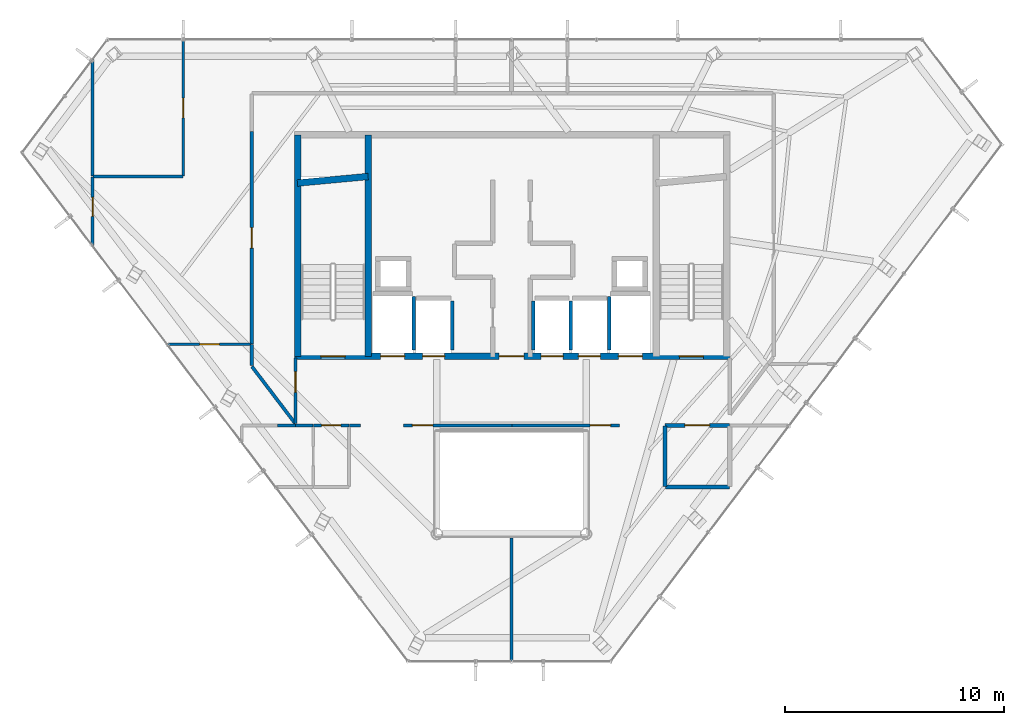
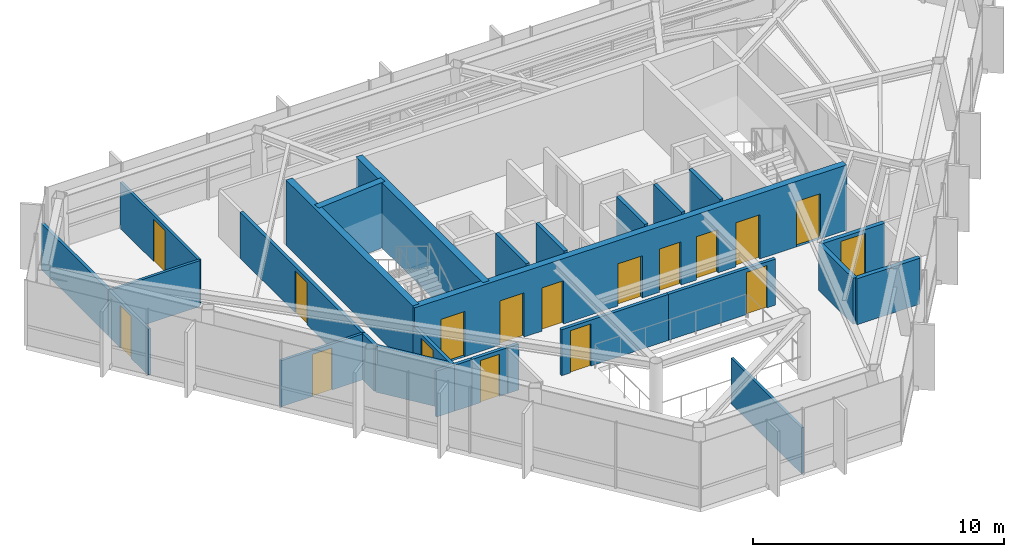
# One storey, part 22 of 25: 28 walls, 17 doors, 17 openings.
"""IFC4 building model written with IfcOpenShell, lengths in metres."""

from ifc_helpers import new_model, si_unit, direction, frame, frame_2d, origin, place, context, subcontext, project, spatial, rectangle, extrude, material, layer, layer_set, type_object, element, fill, save


model = new_model("IFC4")

# Units and contexts
model_context = context("Model", 3, precision=1e-05, world=origin(), true_north=direction((0.0, 1.0)))
body_context = subcontext(model_context, "Body", "Model", "MODEL_VIEW")
ifc_project = project(units=[si_unit("LENGTHUNIT", "METRE"), si_unit("AREAUNIT", "SQUARE_METRE"), si_unit("VOLUMEUNIT", "CUBIC_METRE"), si_unit("PLANEANGLEUNIT", "RADIAN"), si_unit("MASSUNIT", "GRAM", prefix="KILO")], contexts=[model_context])

# Site, building, storey
site_placement = place(None, origin())
site = spatial("IfcSite", under=ifc_project, at=site_placement, CompositionType="ELEMENT")
building_placement = place(site_placement, origin())
building = spatial("IfcBuilding", under=site, at=building_placement, Name="Zarrinselat Tower", CompositionType="ELEMENT")
storey_placement = place(building_placement, frame((0.0, 0.0, 275.39990234375)))
storey = spatial("IfcBuildingStorey", under=building, at=storey_placement, Name="L70", CompositionType="ELEMENT", Elevation=275.39990234375)

# Wall, opening, door
ifc_material_1 = material(Name="Concrete C40/50", Category="concrete")
ifc_layer_1 = layer(ifc_material_1, 0.18994140625)
ifc_layer_set_1 = layer_set([ifc_layer_1], Name="Concrete C40/50")
wall_type_1 = type_object("IfcWallType", Name="WAL-PART-EI120", PredefinedType="PARTITIONING", material=ifc_layer_set_1)
wall_1_placement = place(storey_placement, frame((45.405029296875, 30.14990234375, 0.0), z_axis=(0.0, 0.0, 1.0), x_axis=(1.0, 0.0, 0.0)))
wall_1 = element("IfcWall", 1, at=wall_1_placement, inside=storey, type_object=wall_type_1, Name="L70 Partition Wall 11", PredefinedType="PARTITIONING", context=body_context, shape_type="SweptSolid", body=[
    extrude(rectangle(XDim=2.925048828125, YDim=0.18994140625, at=frame_2d((1.46240234375, 0.0))), origin(), (0.0, 0.0, 1.0), 2.235107421875),
])
opening_1_placement = place(wall_1_placement, frame((0.902587890625, 0.0, 0.0)))
opening_1 = element("IfcOpeningElement", 2, at=opening_1_placement, cuts=wall_1, Name="Opening ID-02", PredefinedType="OPENING", context=body_context, shape_type="SweptSolid", body=[
    extrude(rectangle(XDim=1.1201171875, YDim=2.050048828125, at=frame_2d((0.56005859375, 1.02490234375))), frame((0.0, 0.10498046875, 0.0), z_axis=(0.0, -1.0, 0.0), x_axis=(1.0, 0.0, 0.0)), (0.0, 0.0, 1.0), 0.2099609375),
])
ifc_material_2 = material(Name="Steel S355J2", Category="steel")
door_type_1 = type_object("IfcDoorType", Name="DR-INT-FD60-W", OperationType="NOTDEFINED", PredefinedType="DOOR", material=ifc_material_2)
door_1_placement = place(opening_1_placement, origin())
door_1 = element("IfcDoor", 3, at=door_1_placement, inside=storey, type_object=door_type_1, Name="L70 Interior Door P11", OperationType="SINGLE_SWING_LEFT", OverallHeight=2.050048828125, OverallWidth=1.1201171875, PredefinedType="DOOR", context=body_context, shape_type="SweptSolid", body=[
    extrude(rectangle(XDim=1.1201171875, YDim=2.050048828125, at=frame_2d((0.56005859375, 1.02490234375))), frame((0.0, 0.02490234375, 0.0), z_axis=(0.0, -1.0, 0.0), x_axis=(1.0, 0.0, 0.0)), (0.0, 0.0, 1.0), 0.050048828125),
])
fill(opening_1, door_1)

# Walls
wall_2_placement = place(storey_placement, frame((45.419921875, 27.35009765625, 0.0), z_axis=(0.0, 0.0, 1.0), x_axis=(1.0, 0.0, 0.0)))
element("IfcWall", 4, at=wall_2_placement, inside=storey, type_object=wall_type_1, Name="L70 Partition Wall 19", PredefinedType="PARTITIONING", context=body_context, shape_type="SweptSolid", body=[
    extrude(rectangle(XDim=2.91015625, YDim=0.18994140625, at=frame_2d((1.455078125, 0.0))), origin(), (0.0, 0.0, 1.0), 2.235107421875),
])
wall_3_placement = place(storey_placement, frame((45.39990234375, 27.3701171875, 0.0), z_axis=(0.0, 0.0, 1.0), x_axis=(0.0, 1.0, 0.0)))
element("IfcWall", 5, at=wall_3_placement, inside=storey, type_object=wall_type_1, Name="L70 Partition Wall 20", PredefinedType="PARTITIONING", context=body_context, shape_type="SweptSolid", body=[
    extrude(rectangle(XDim=2.759765625, YDim=0.18994140625, at=frame_2d((1.3798828125, 0.0))), origin(), (0.0, 0.0, 1.0), 2.235107421875),
])

# Wall, opening, door
ifc_material_3 = material(Name="Fire-Rated Gypsum Board Partition", Category="gypsum")
ifc_layer_2 = layer(ifc_material_3, 0.14990234375)
ifc_layer_set_2 = layer_set([ifc_layer_2], Name="Fire-Rated Gypsum Board Partition")
wall_type_2 = type_object("IfcWallType", Name="WAL-PART-EI60", PredefinedType="PARTITIONING", material=ifc_layer_set_2)
wall_4_placement = place(storey_placement, frame((28.550048828125, 30.22705078125, 0.0), z_axis=(0.0, 0.0, 1.0), x_axis=(0.0, 1.0, 0.0)))
wall_4 = element("IfcWall", 6, at=wall_4_placement, inside=storey, type_object=wall_type_2, Name="L70 Partition Wall 12", PredefinedType="PARTITIONING", context=body_context, shape_type="SweptSolid", body=[
    extrude(rectangle(XDim=3.0029296875, YDim=0.14990234375, at=frame_2d((1.50146484375, 0.0))), origin(), (0.0, 0.0, 1.0), 2.235107421875),
])
opening_2_placement = place(wall_4_placement, frame((1.431396484375, 0.0, 0.0)))
opening_2 = element("IfcOpeningElement", 7, at=opening_2_placement, cuts=wall_4, Name="Opening ID-04", PredefinedType="OPENING", context=body_context, shape_type="SweptSolid", body=[
    extrude(rectangle(XDim=0.93994140625, YDim=2.050048828125, at=frame_2d((0.469970703125, 1.02490234375))), frame((0.0, 0.0849609375, 0.0), z_axis=(0.0, -1.0, 0.0), x_axis=(1.0, 0.0, 0.0)), (0.0, 0.0, 1.0), 0.169921875),
])
ifc_material_4 = material(Name="Fire-Rated Gypsum Board Partition")
door_type_2 = type_object("IfcDoorType", Name="DR-INT-FD30-ENT", OperationType="NOTDEFINED", PredefinedType="DOOR", material=ifc_material_4)
door_2_placement = place(opening_2_placement, origin())
door_2 = element("IfcDoor", 8, at=door_2_placement, inside=storey, type_object=door_type_2, Name="L70 Interior Door P12", OperationType="SINGLE_SWING_RIGHT", OverallHeight=2.050048828125, OverallWidth=0.93994140625, PredefinedType="DOOR", context=body_context, shape_type="SweptSolid", body=[
    extrude(rectangle(XDim=0.93994140625, YDim=2.050048828125, at=frame_2d((0.469970703125, 1.02490234375))), frame((0.0, 0.02490234375, 0.0), z_axis=(0.0, -1.0, 0.0), x_axis=(1.0, 0.0, 0.0)), (0.0, 0.0, 1.0), 0.050048828125),
])
fill(opening_2, door_2)

wall_5_placement = place(storey_placement, frame((29.364990234375, 30.14990234375, 0.0), z_axis=(0.0, 0.0, 1.0), x_axis=(1.0, 0.0, 0.0)))
wall_5 = element("IfcWall", 9, at=wall_5_placement, inside=storey, type_object=wall_type_2, Name="L70 Partition Wall 14", PredefinedType="PARTITIONING", context=body_context, shape_type="SweptSolid", body=[
    extrude(rectangle(XDim=1.630126953125, YDim=0.14990234375, at=frame_2d((0.81494140625, 0.0))), origin(), (0.0, 0.0, 1.0), 2.235107421875),
])
opening_3_placement = place(wall_5_placement, frame((0.375, 0.0, 0.0)))
opening_3 = element("IfcOpeningElement", 10, at=opening_3_placement, cuts=wall_5, Name="Opening ID-03", PredefinedType="OPENING", context=body_context, shape_type="SweptSolid", body=[
    extrude(rectangle(XDim=0.8798828125, YDim=2.050048828125, at=frame_2d((0.43994140625, 1.02490234375))), frame((0.0, 0.0849609375, 0.0), z_axis=(0.0, -1.0, 0.0), x_axis=(1.0, 0.0, 0.0)), (0.0, 0.0, 1.0), 0.169921875),
])
ifc_material_5 = material(Name="Steel S355J2", Category="steel")
door_type_3 = type_object("IfcDoorType", Name="DR-INT-FD60-S", OperationType="NOTDEFINED", PredefinedType="DOOR", material=ifc_material_5)
door_3_placement = place(opening_3_placement, origin())
door_3 = element("IfcDoor", 11, at=door_3_placement, inside=storey, type_object=door_type_3, Name="L70 Interior Door P14", OperationType="SINGLE_SWING_LEFT", OverallHeight=2.050048828125, OverallWidth=0.8798828125, PredefinedType="DOOR", context=body_context, shape_type="SweptSolid", body=[
    extrude(rectangle(XDim=0.8798828125, YDim=2.050048828125, at=frame_2d((0.43994140625, 1.02490234375))), frame((0.0, 0.02490234375, 0.0), z_axis=(0.0, -1.0, 0.0), x_axis=(1.0, 0.0, 0.0)), (0.0, 0.0, 1.0), 0.050048828125),
])
fill(opening_3, door_3)

# Wall
wall_6_placement = place(storey_placement, frame((28.550048828125, 30.14990234375, 0.0), z_axis=(0.0, 0.0, 1.0), x_axis=(1.0, 0.0, 0.0)))
element("IfcWall", 12, at=wall_6_placement, inside=storey, type_object=wall_type_2, Name="L70 Partition Wall 15", PredefinedType="PARTITIONING", context=body_context, shape_type="SweptSolid", body=[
    extrude(rectangle(XDim=0.804931640625, YDim=0.14990234375, at=frame_2d((0.40234375, 0.0))), origin(), (0.0, 0.0, 1.0), 2.235107421875),
])

# Wall, opening, door
wall_7_placement = place(storey_placement, frame((33.485107421875, 30.14990234375, 0.0), z_axis=(0.0, 0.0, 1.0), x_axis=(1.0, 0.0, 0.0)))
wall_7 = element("IfcWall", 13, at=wall_7_placement, inside=storey, type_object=wall_type_2, Name="L70 Partition Wall 16", PredefinedType="PARTITIONING", context=body_context, shape_type="SweptSolid", body=[
    extrude(rectangle(XDim=4.929931640625, YDim=0.14990234375, at=frame_2d((2.46484375, 0.0))), origin(), (0.0, 0.0, 1.0), 2.235107421875),
])
opening_4_placement = place(wall_7_placement, frame((0.39501953125, 0.0, 0.0)))
opening_4 = element("IfcOpeningElement", 14, at=opening_4_placement, cuts=wall_7, Name="Opening ID-04", PredefinedType="OPENING", context=body_context, shape_type="SweptSolid", body=[
    extrude(rectangle(XDim=0.93994140625, YDim=2.050048828125, at=frame_2d((0.469970703125, 1.02490234375))), frame((0.0, 0.0849609375, 0.0), z_axis=(0.0, -1.0, 0.0), x_axis=(1.0, 0.0, 0.0)), (0.0, 0.0, 1.0), 0.169921875),
])
door_4_placement = place(opening_4_placement, origin())
door_4 = element("IfcDoor", 15, at=door_4_placement, inside=storey, type_object=door_type_2, Name="L70 Interior Door P16", OperationType="SINGLE_SWING_RIGHT", OverallHeight=2.050048828125, OverallWidth=0.93994140625, PredefinedType="DOOR", context=body_context, shape_type="SweptSolid", body=[
    extrude(rectangle(XDim=0.93994140625, YDim=2.050048828125, at=frame_2d((0.469970703125, 1.02490234375))), frame((0.0, 0.02490234375, 0.0), z_axis=(0.0, -1.0, 0.0), x_axis=(1.0, 0.0, 0.0)), (0.0, 0.0, 1.0), 0.050048828125),
])
fill(opening_4, door_4)

# Wall
wall_8_placement = place(storey_placement, frame((31.0048828125, 30.14990234375, 0.0), z_axis=(0.0, 0.0, 1.0), x_axis=(1.0, 0.0, 0.0)))
element("IfcWall", 16, at=wall_8_placement, inside=storey, type_object=wall_type_2, Name="L70 Partition Wall 17", PredefinedType="PARTITIONING", context=body_context, shape_type="SweptSolid", body=[
    extrude(rectangle(XDim=0.510009765625, YDim=0.14990234375, at=frame_2d((0.2548828125, 0.0))), origin(), (0.0, 0.0, 1.0), 2.235107421875),
])

# Wall, opening, door
wall_9_placement = place(storey_placement, frame((38.385009765625, 30.14990234375, 0.0), z_axis=(0.0, 0.0, 1.0), x_axis=(1.0, 0.0, 0.0)))
wall_9 = element("IfcWall", 17, at=wall_9_placement, inside=storey, type_object=wall_type_2, Name="L70 Partition Wall 18", PredefinedType="PARTITIONING", context=body_context, shape_type="SweptSolid", body=[
    extrude(rectangle(XDim=4.929931640625, YDim=0.14990234375, at=frame_2d((2.46484375, 0.0))), origin(), (0.0, 0.0, 1.0), 2.235107421875),
])
opening_5_placement = place(wall_9_placement, frame((3.594970703125, 0.0, 0.0)))
opening_5 = element("IfcOpeningElement", 18, at=opening_5_placement, cuts=wall_9, Name="Opening ID-04", PredefinedType="OPENING", context=body_context, shape_type="SweptSolid", body=[
    extrude(rectangle(XDim=0.93994140625, YDim=2.050048828125, at=frame_2d((0.469970703125, 1.02490234375))), frame((0.0, 0.0849609375, 0.0), z_axis=(0.0, -1.0, 0.0), x_axis=(1.0, 0.0, 0.0)), (0.0, 0.0, 1.0), 0.169921875),
])
door_5_placement = place(opening_5_placement, origin())
door_5 = element("IfcDoor", 19, at=door_5_placement, inside=storey, type_object=door_type_2, Name="L70 Interior Door P18", OperationType="SINGLE_SWING_LEFT", OverallHeight=2.050048828125, OverallWidth=0.93994140625, PredefinedType="DOOR", context=body_context, shape_type="SweptSolid", body=[
    extrude(rectangle(XDim=0.93994140625, YDim=2.050048828125, at=frame_2d((0.469970703125, 1.02490234375))), frame((0.0, 0.02490234375, 0.0), z_axis=(0.0, -1.0, 0.0), x_axis=(1.0, 0.0, 0.0)), (0.0, 0.0, 1.0), 0.050048828125),
])
fill(opening_5, door_5)

wall_10_placement = place(storey_placement, frame((26.550048828125, 33.855224609375, 0.0), z_axis=(0.0, 0.0, 1.0), x_axis=(0.0, 1.0, 0.0)))
wall_10 = element("IfcWall", 20, at=wall_10_placement, inside=storey, type_object=wall_type_2, Name="L70 Partition Wall 22", PredefinedType="PARTITIONING", context=body_context, shape_type="SweptSolid", body=[
    extrude(rectangle(XDim=9.69482421875, YDim=0.14990234375, at=frame_2d((4.847412109375, 0.0))), origin(), (0.0, 0.0, 1.0), 2.235107421875),
])
opening_6_placement = place(wall_10_placement, frame((4.37744140625, 0.0, 0.0)))
opening_6 = element("IfcOpeningElement", 21, at=opening_6_placement, cuts=wall_10, Name="Opening ID-04", PredefinedType="OPENING", context=body_context, shape_type="SweptSolid", body=[
    extrude(rectangle(XDim=0.93994140625, YDim=2.050048828125, at=frame_2d((0.469970703125, 1.02490234375))), frame((0.0, 0.0849609375, 0.0), z_axis=(0.0, -1.0, 0.0), x_axis=(1.0, 0.0, 0.0)), (0.0, 0.0, 1.0), 0.169921875),
])
door_6_placement = place(opening_6_placement, origin())
door_6 = element("IfcDoor", 22, at=door_6_placement, inside=storey, type_object=door_type_2, Name="L70 Interior Door P22", OperationType="SINGLE_SWING_RIGHT", OverallHeight=2.050048828125, OverallWidth=0.93994140625, PredefinedType="DOOR", context=body_context, shape_type="SweptSolid", body=[
    extrude(rectangle(XDim=0.93994140625, YDim=2.050048828125, at=frame_2d((0.469970703125, 1.02490234375))), frame((0.0, 0.02490234375, 0.0), z_axis=(0.0, -1.0, 0.0), x_axis=(1.0, 0.0, 0.0)), (0.0, 0.0, 1.0), 0.050048828125),
])
fill(opening_6, door_6)

# Walls
wall_11_placement = place(storey_placement, frame((26.56201171875, 32.839599609375, 0.0), z_axis=(0.0, 0.0, 1.0), x_axis=(0.604783852999, -0.796389660375, 0.0)))
element("IfcWall", 23, at=wall_11_placement, inside=storey, type_object=wall_type_2, Name="L70 Partition Wall 26", PredefinedType="PARTITIONING", context=body_context, shape_type="SweptSolid", body=[
    extrude(rectangle(XDim=3.26708984375, YDim=0.14990234375, at=frame_2d((1.633544921875, 0.0))), origin(), (0.0, 0.0, 1.0), 2.235107421875),
])
wall_12_placement = place(storey_placement, frame((26.550048828125, 32.87548828125, 0.0), z_axis=(0.0, 0.0, 1.0), x_axis=(0.0, 1.0, 0.0)))
element("IfcWall", 24, at=wall_12_placement, inside=storey, type_object=wall_type_2, Name="L70 Partition Wall 27", PredefinedType="PARTITIONING", context=body_context, shape_type="SweptSolid", body=[
    extrude(rectangle(XDim=0.9697265625, YDim=0.14990234375, at=frame_2d((0.48486328125, 0.0))), origin(), (0.0, 0.0, 1.0), 2.235107421875),
])
ifc_material_6 = material(Name="Extruded Aluminium Alloy EN AW-6063 T6", Category="aluminium")
ifc_layer_3 = layer(ifc_material_6, 0.114990234375)
ifc_layer_set_3 = layer_set([ifc_layer_3], Name="Extruded Aluminium Alloy EN AW-6063 T6")
wall_type_3 = type_object("IfcWallType", Name="WAL-PART-MOV", PredefinedType="MOVABLE", material=ifc_layer_set_3)
wall_13_placement = place(storey_placement, frame((38.39990234375, 19.403076171875, 0.0), z_axis=(0.0, 0.0, 1.0), x_axis=(0.0, 1.0, 0.0)))
element("IfcWall", 25, at=wall_13_placement, inside=storey, type_object=wall_type_3, Name="L70 Partition Wall 41", PredefinedType="MOVABLE", context=body_context, shape_type="SweptSolid", body=[
    extrude(rectangle(XDim=5.616943359375, YDim=0.114990234375, at=frame_2d((2.80859375, 0.0))), origin(), (0.0, 0.0, 1.0), 2.235107421875),
])
ifc_material_7 = material(Name="Fire-Rated Gypsum Board Partition", Category="gypsum")
ifc_layer_4 = layer(ifc_material_7, 0.1201171875)
ifc_layer_set_4 = layer_set([ifc_layer_4], Name="Fire-Rated Gypsum Board Partition")
wall_type_4 = type_object("IfcWallType", Name="WAL-PART-STD", PredefinedType="PARTITIONING", material=ifc_layer_set_4)
wall_14_placement = place(storey_placement, frame((19.322265625, 41.49853515625, 0.0), z_axis=(0.0, 0.0, 1.0), x_axis=(1.0, 0.0, 0.0)))
element("IfcWall", 26, at=wall_14_placement, inside=storey, type_object=wall_type_4, Name="L70 Partition Wall 45", PredefinedType="PARTITIONING", context=body_context, shape_type="SweptSolid", body=[
    extrude(rectangle(XDim=4.096923828125, YDim=0.1201171875, at=frame_2d((2.04833984375, 0.0))), origin(), (0.0, 0.0, 1.0), 2.235107421875),
])

# Wall, opening, door
wall_15_placement = place(storey_placement, frame((23.439208984375, 41.5185546875, 0.0), z_axis=(0.0, 0.0, 1.0), x_axis=(0.0, 1.0, 0.0)))
wall_15 = element("IfcWall", 27, at=wall_15_placement, inside=storey, type_object=wall_type_4, Name="L70 Partition Wall 46", PredefinedType="PARTITIONING", context=body_context, shape_type="SweptSolid", body=[
    extrude(rectangle(XDim=6.216552734375, YDim=0.1201171875, at=frame_2d((3.1083984375, 0.0))), origin(), (0.0, 0.0, 1.0), 2.235107421875),
])
opening_7_placement = place(wall_15_placement, frame((2.658203125, 0.0, 0.0)))
opening_7 = element("IfcOpeningElement", 28, at=opening_7_placement, cuts=wall_15, Name="Opening ID-05", PredefinedType="OPENING", context=body_context, shape_type="SweptSolid", body=[
    extrude(rectangle(XDim=0.89990234375, YDim=2.050048828125, at=frame_2d((0.449951171875, 1.02490234375))), frame((0.0, 0.070068359375, 0.0), z_axis=(0.0, -1.0, 0.0), x_axis=(1.0, 0.0, 0.0)), (0.0, 0.0, 1.0), 0.14013671875),
])
ifc_material_8 = material(Name="Extruded Aluminium Alloy EN AW-6063 T6", Category="aluminium")
door_type_4 = type_object("IfcDoorType", Name="DR-INT-STD-920", OperationType="NOTDEFINED", PredefinedType="DOOR", material=ifc_material_8)
door_7_placement = place(opening_7_placement, origin())
door_7 = element("IfcDoor", 29, at=door_7_placement, inside=storey, type_object=door_type_4, Name="L70 Interior Door P46", OperationType="SINGLE_SWING_LEFT", OverallHeight=2.050048828125, OverallWidth=0.89990234375, PredefinedType="DOOR", context=body_context, shape_type="SweptSolid", body=[
    extrude(rectangle(XDim=0.89990234375, YDim=2.050048828125, at=frame_2d((0.449951171875, 1.02490234375))), frame((0.0, 0.02490234375, 0.0), z_axis=(0.0, -1.0, 0.0), x_axis=(1.0, 0.0, 0.0)), (0.0, 0.0, 1.0), 0.050048828125),
])
fill(opening_7, door_7)

wall_16_placement = place(storey_placement, frame((22.720703125, 33.85009765625, 0.0), z_axis=(0.0, 0.0, 1.0), x_axis=(1.0, 0.0, 0.0)))
wall_16 = element("IfcWall", 30, at=wall_16_placement, inside=storey, type_object=wall_type_4, Name="L70 Partition Wall 47", PredefinedType="PARTITIONING", context=body_context, shape_type="SweptSolid", body=[
    extrude(rectangle(XDim=3.809326171875, YDim=0.1201171875, at=frame_2d((1.90478515625, 0.0))), origin(), (0.0, 0.0, 1.0), 2.235107421875),
])
opening_8_placement = place(wall_16_placement, frame((1.45458984375, 0.0, 0.0)))
opening_8 = element("IfcOpeningElement", 31, at=opening_8_placement, cuts=wall_16, Name="Opening ID-05", PredefinedType="OPENING", context=body_context, shape_type="SweptSolid", body=[
    extrude(rectangle(XDim=0.89990234375, YDim=2.050048828125, at=frame_2d((0.449951171875, 1.02490234375))), frame((0.0, 0.070068359375, 0.0), z_axis=(0.0, -1.0, 0.0), x_axis=(1.0, 0.0, 0.0)), (0.0, 0.0, 1.0), 0.14013671875),
])
door_8_placement = place(opening_8_placement, origin())
door_8 = element("IfcDoor", 32, at=door_8_placement, inside=storey, type_object=door_type_4, Name="L70 Interior Door P47", OperationType="SINGLE_SWING_RIGHT", OverallHeight=2.050048828125, OverallWidth=0.89990234375, PredefinedType="DOOR", context=body_context, shape_type="SweptSolid", body=[
    extrude(rectangle(XDim=0.89990234375, YDim=2.050048828125, at=frame_2d((0.449951171875, 1.02490234375))), frame((0.0, 0.02490234375, 0.0), z_axis=(0.0, -1.0, 0.0), x_axis=(1.0, 0.0, 0.0)), (0.0, 0.0, 1.0), 0.050048828125),
])
fill(opening_8, door_8)

# Wall
ifc_material_9 = material(Name="Fire-Rated Gypsum Board Partition", Category="gypsum")
ifc_layer_5 = layer(ifc_material_9, 0.135009765625)
ifc_layer_set_5 = layer_set([ifc_layer_5], Name="Fire-Rated Gypsum Board Partition")
wall_type_5 = type_object("IfcWallType", Name="WAL-PART-WET", PredefinedType="PARTITIONING", material=ifc_layer_set_5)
wall_17_placement = place(storey_placement, frame((27.72998046875, 30.14990234375, 0.0), z_axis=(0.0, 0.0, 1.0), x_axis=(1.0, 0.0, 0.0)))
element("IfcWall", 33, at=wall_17_placement, inside=storey, type_object=wall_type_5, Name="L70 Partition Wall 40", PredefinedType="PARTITIONING", context=body_context, shape_type="SweptSolid", body=[
    extrude(rectangle(XDim=0.820068359375, YDim=0.135009765625, at=frame_2d((0.41015625, 0.0))), origin(), (0.0, 0.0, 1.0), 2.235107421875),
])

# Wall, opening, door
wall_18_placement = place(storey_placement, frame((19.30224609375, 38.3466796875, 0.0), z_axis=(0.0, 0.0, 1.0), x_axis=(0.0, 1.0, 0.0)))
wall_18 = element("IfcWall", 34, at=wall_18_placement, inside=storey, type_object=wall_type_5, Name="L70 Partition Wall 43", PredefinedType="PARTITIONING", context=body_context, shape_type="SweptSolid", body=[
    extrude(rectangle(XDim=3.1318359375, YDim=0.135009765625, at=frame_2d((1.56591796875, 0.0))), origin(), (0.0, 0.0, 1.0), 2.235107421875),
])
opening_9_placement = place(wall_18_placement, frame((1.335693359375, 0.0, 0.0)))
opening_9 = element("IfcOpeningElement", 35, at=opening_9_placement, cuts=wall_18, Name="Opening ID-06", PredefinedType="OPENING", context=body_context, shape_type="SweptSolid", body=[
    extrude(rectangle(XDim=0.860107421875, YDim=2.050048828125, at=frame_2d((0.43017578125, 1.02490234375))), frame((0.0, 0.077392578125, 0.0), z_axis=(0.0, -1.0, 0.0), x_axis=(1.0, 0.0, 0.0)), (0.0, 0.0, 1.0), 0.155029296875),
])
ifc_material_10 = material(Name="Extruded Aluminium Alloy EN AW-6063 T6", Category="aluminium")
door_type_5 = type_object("IfcDoorType", Name="DR-INT-WET-900", OperationType="NOTDEFINED", PredefinedType="DOOR", material=ifc_material_10)
door_9_placement = place(opening_9_placement, origin())
door_9 = element("IfcDoor", 36, at=door_9_placement, inside=storey, type_object=door_type_5, Name="L70 Interior Door P43", OperationType="SINGLE_SWING_LEFT", OverallHeight=2.050048828125, OverallWidth=0.860107421875, PredefinedType="DOOR", context=body_context, shape_type="SweptSolid", body=[
    extrude(rectangle(XDim=0.860107421875, YDim=2.050048828125, at=frame_2d((0.43017578125, 1.02490234375))), frame((0.0, 0.02490234375, 0.0), z_axis=(0.0, -1.0, 0.0), x_axis=(1.0, 0.0, 0.0)), (0.0, 0.0, 1.0), 0.050048828125),
])
fill(opening_9, door_9)

# Walls
wall_19_placement = place(storey_placement, frame((19.30224609375, 41.5185546875, 0.0), z_axis=(0.0, 0.0, 1.0), x_axis=(0.0, 1.0, 0.0)))
element("IfcWall", 37, at=wall_19_placement, inside=storey, type_object=wall_type_5, Name="L70 Partition Wall 48", PredefinedType="PARTITIONING", context=body_context, shape_type="SweptSolid", body=[
    extrude(rectangle(XDim=5.315185546875, YDim=0.135009765625, at=frame_2d((2.65771484375, 0.0))), origin(), (0.0, 0.0, 1.0), 2.235107421875),
])
ifc_material_11 = material(Name="Concrete C40/50", Category="concrete")
ifc_layer_6 = layer(ifc_material_11, 0.2099609375)
ifc_layer_set_6 = layer_set([ifc_layer_6], Name="Concrete C40/50")
wall_type_6 = type_object("IfcWallType", Name="WAL-SHAFT-210", PredefinedType="SOLIDWALL", material=ifc_layer_set_6)
for number, where, z_axis, x_axis, name in (
    (38, (33.949951171875, 33.580078125, 0.0), (0.0, 0.0, 1.0), (0.0, 1.0, 0.0), "L70 Lift FFL1 E Shaft Wall"),
    (39, (42.85009765625, 33.580078125, 0.0), (0.0, 0.0, 1.0), (0.0, 1.0, 0.0), "L70 Lift FFL2 W Shaft Wall"),
):
    element("IfcWall", number, at=place(storey_placement, frame(where, z_axis=z_axis, x_axis=x_axis)), inside=storey, type_object=wall_type_6, Name=name, PredefinedType="SOLIDWALL", context=body_context, shape_type="SweptSolid", body=[
        extrude(rectangle(XDim=2.449951171875, YDim=0.159912109375, at=frame_2d((1.22509765625, 0.0))), origin(), (0.0, 0.0, 1.0), 3.18017578125),
    ])
for number, where, z_axis, x_axis, name in (
    (40, (39.39990234375, 33.580078125, 0.0), (0.0, 0.0, 1.0), (0.0, 1.0, 0.0), "L70 Lift PL8 W Shaft Wall"),
    (41, (41.10009765625, 33.580078125, 0.0), (0.0, 0.0, 1.0), (0.0, 1.0, 0.0), "L70 Lift PL8 E Shaft Wall"),
    (42, (35.699951171875, 33.580078125, 0.0), (0.0, 0.0, 1.0), (0.0, 1.0, 0.0), "L70 Lift PL10 E Shaft Wall"),
):
    element("IfcWall", number, at=place(storey_placement, frame(where, z_axis=z_axis, x_axis=x_axis)), inside=storey, type_object=wall_type_6, Name=name, PredefinedType="SOLIDWALL", context=body_context, shape_type="SweptSolid", body=[
        extrude(rectangle(XDim=2.25, YDim=0.159912109375, at=frame_2d((1.125, 0.0))), origin(), (0.0, 0.0, 1.0), 3.18017578125),
    ])

# Wall, openings, doors
ifc_material_12 = material(Name="Concrete C40/50", Category="concrete")
ifc_layer_7 = layer(ifc_material_12, 0.300048828125)
ifc_layer_set_7 = layer_set([ifc_layer_7], Name="Concrete C40/50")
wall_type_7 = type_object("IfcWallType", Name="WAL-SHEAR-300", PredefinedType="SHEAR", material=ifc_layer_set_7)
wall_20_placement = place(storey_placement, frame((28.5, 33.300048828125, 0.0), z_axis=(0.0, 0.0, 1.0), x_axis=(1.0, 0.0, 0.0)))
wall_20 = element("IfcWall", 43, at=wall_20_placement, inside=storey, type_object=wall_type_7, Name="L70 South Core Shear Wall", PredefinedType="SHEAR", context=body_context, shape_type="SweptSolid", body=[
    extrude(rectangle(XDim=19.860107421875, YDim=0.300048828125, at=frame_2d((9.93017578125, 0.0))), origin(), (0.0, 0.0, 1.0), 3.18017578125),
])
opening_10_placement = place(wall_20_placement, frame((3.929931640625, 0.0, 0.0)))
opening_10 = element("IfcOpeningElement", 44, at=opening_10_placement, cuts=wall_20, Name="Opening LD-FFL1", PredefinedType="OPENING", context=body_context, shape_type="SweptSolid", body=[
    extrude(rectangle(XDim=1.10009765625, YDim=2.14990234375, at=frame_2d((0.550048828125, 1.074951171875))), frame((0.0, 0.159912109375, 0.0), z_axis=(0.0, -1.0, 0.0), x_axis=(1.0, 0.0, 0.0)), (0.0, 0.0, 1.0), 0.320068359375),
])
opening_11_placement = place(wall_20_placement, frame((14.77001953125, 0.0, 0.0)))
opening_11 = element("IfcOpeningElement", 45, at=opening_11_placement, cuts=wall_20, Name="Opening LD-FFL2", PredefinedType="OPENING", context=body_context, shape_type="SweptSolid", body=[
    extrude(rectangle(XDim=1.10009765625, YDim=2.14990234375, at=frame_2d((0.550048828125, 1.074951171875))), frame((0.0, 0.159912109375, 0.0), z_axis=(0.0, -1.0, 0.0), x_axis=(1.0, 0.0, 0.0)), (0.0, 0.0, 1.0), 0.320068359375),
])
opening_12_placement = place(wall_20_placement, frame((11.25, 0.0, 0.0)))
opening_12 = element("IfcOpeningElement", 46, at=opening_12_placement, cuts=wall_20, Name="Opening LD-PL8", PredefinedType="OPENING", context=body_context, shape_type="SweptSolid", body=[
    extrude(rectangle(XDim=1.0, YDim=2.10009765625, at=frame_2d((0.5, 1.050048828125))), frame((0.0, 0.159912109375, 0.0), z_axis=(0.0, -1.0, 0.0), x_axis=(1.0, 0.0, 0.0)), (0.0, 0.0, 1.0), 0.320068359375),
])
opening_13_placement = place(wall_20_placement, frame((12.949951171875, 0.0, 0.0)))
opening_13 = element("IfcOpeningElement", 47, at=opening_13_placement, cuts=wall_20, Name="Opening LD-PL9", PredefinedType="OPENING", context=body_context, shape_type="SweptSolid", body=[
    extrude(rectangle(XDim=1.0, YDim=2.10009765625, at=frame_2d((0.5, 1.050048828125))), frame((0.0, 0.159912109375, 0.0), z_axis=(0.0, -1.0, 0.0), x_axis=(1.0, 0.0, 0.0)), (0.0, 0.0, 1.0), 0.320068359375),
])
opening_14_placement = place(wall_20_placement, frame((5.85009765625, 0.0, 0.0)))
opening_14 = element("IfcOpeningElement", 48, at=opening_14_placement, cuts=wall_20, Name="Opening LD-PL10", PredefinedType="OPENING", context=body_context, shape_type="SweptSolid", body=[
    extrude(rectangle(XDim=1.0, YDim=2.10009765625, at=frame_2d((0.5, 1.050048828125))), frame((0.0, 0.159912109375, 0.0), z_axis=(0.0, -1.0, 0.0), x_axis=(1.0, 0.0, 0.0)), (0.0, 0.0, 1.0), 0.320068359375),
])
opening_15_placement = place(wall_20_placement, frame((1.2099609375, 0.0, 0.0)))
opening_15 = element("IfcOpeningElement", 49, at=opening_15_placement, cuts=wall_20, Name="Opening SD-01", PredefinedType="OPENING", context=body_context, shape_type="SweptSolid", body=[
    extrude(rectangle(XDim=1.10009765625, YDim=2.199951171875, at=frame_2d((0.550048828125, 1.10009765625))), frame((0.0, 0.159912109375, 0.0), z_axis=(0.0, -1.0, 0.0), x_axis=(1.0, 0.0, 0.0)), (0.0, 0.0, 1.0), 0.320068359375),
])
opening_16_placement = place(wall_20_placement, frame((9.340087890625, 0.0, 0.0)))
opening_16 = element("IfcOpeningElement", 50, at=opening_16_placement, cuts=wall_20, Name="Opening ID-02", PredefinedType="OPENING", context=body_context, shape_type="SweptSolid", body=[
    extrude(rectangle(XDim=1.1201171875, YDim=2.050048828125, at=frame_2d((0.56005859375, 1.02490234375))), frame((0.0, 0.159912109375, 0.0), z_axis=(0.0, -1.0, 0.0), x_axis=(1.0, 0.0, 0.0)), (0.0, 0.0, 1.0), 0.320068359375),
])
opening_17_placement = place(wall_20_placement, frame((17.550048828125, 0.0, 0.0)))
opening_17 = element("IfcOpeningElement", 51, at=opening_17_placement, cuts=wall_20, Name="Opening SD-01", PredefinedType="OPENING", context=body_context, shape_type="SweptSolid", body=[
    extrude(rectangle(XDim=1.10009765625, YDim=2.199951171875, at=frame_2d((0.550048828125, 1.10009765625))), frame((0.0, 0.159912109375, 0.0), z_axis=(0.0, -1.0, 0.0), x_axis=(1.0, 0.0, 0.0)), (0.0, 0.0, 1.0), 0.320068359375),
])
door_10_placement = place(opening_16_placement, origin())
door_10 = element("IfcDoor", 52, at=door_10_placement, inside=storey, type_object=door_type_1, Name="L70 Core Service Vestibule Fire Door", OperationType="SINGLE_SWING_RIGHT", OverallHeight=2.050048828125, OverallWidth=1.1201171875, PredefinedType="DOOR", context=body_context, shape_type="SweptSolid", body=[
    extrude(rectangle(XDim=1.1201171875, YDim=2.050048828125, at=frame_2d((0.56005859375, 1.02490234375))), frame((0.0, 0.02490234375, 0.0), z_axis=(0.0, -1.0, 0.0), x_axis=(1.0, 0.0, 0.0)), (0.0, 0.0, 1.0), 0.050048828125),
])
fill(opening_16, door_10)
ifc_material_13 = material(Name="Steel S355J2", Category="steel")
door_type_6 = type_object("IfcDoorType", Name="DR-LIFT-FF-1100", OperationType="NOTDEFINED", PredefinedType="DOOR", material=ifc_material_13)
door_11_placement = place(opening_10_placement, origin())
door_11 = element("IfcDoor", 53, at=door_11_placement, inside=storey, type_object=door_type_6, Name="L70 Lift FFL1 Sliding Landing Door", OperationType="SLIDING_TO_LEFT", OverallHeight=2.14990234375, OverallWidth=1.10009765625, PredefinedType="DOOR", context=body_context, shape_type="SweptSolid", body=[
    extrude(rectangle(XDim=1.10009765625, YDim=2.14990234375, at=frame_2d((0.550048828125, 1.074951171875))), frame((0.0, 0.02490234375, 0.0), z_axis=(0.0, -1.0, 0.0), x_axis=(1.0, 0.0, 0.0)), (0.0, 0.0, 1.0), 0.050048828125),
])
fill(opening_10, door_11)
door_12_placement = place(opening_11_placement, origin())
door_12 = element("IfcDoor", 54, at=door_12_placement, inside=storey, type_object=door_type_6, Name="L70 Lift FFL2 Sliding Landing Door", OperationType="SLIDING_TO_RIGHT", OverallHeight=2.14990234375, OverallWidth=1.10009765625, PredefinedType="DOOR", context=body_context, shape_type="SweptSolid", body=[
    extrude(rectangle(XDim=1.10009765625, YDim=2.14990234375, at=frame_2d((0.550048828125, 1.074951171875))), frame((0.0, 0.02490234375, 0.0), z_axis=(0.0, -1.0, 0.0), x_axis=(1.0, 0.0, 0.0)), (0.0, 0.0, 1.0), 0.050048828125),
])
fill(opening_11, door_12)
ifc_material_14 = material(Name="Steel S355J2", Category="steel")
door_type_7 = type_object("IfcDoorType", Name="DR-LIFT-PS-1000", OperationType="NOTDEFINED", PredefinedType="DOOR", material=ifc_material_14)
door_13_placement = place(opening_12_placement, origin())
door_13 = element("IfcDoor", 55, at=door_13_placement, inside=storey, type_object=door_type_7, Name="L70 Lift PL8 Sliding Landing Door", OperationType="SLIDING_TO_RIGHT", OverallHeight=2.10009765625, OverallWidth=1.0, PredefinedType="DOOR", context=body_context, shape_type="SweptSolid", body=[
    extrude(rectangle(XDim=1.0, YDim=2.10009765625, at=frame_2d((0.5, 1.050048828125))), frame((0.0, 0.02490234375, 0.0), z_axis=(0.0, -1.0, 0.0), x_axis=(1.0, 0.0, 0.0)), (0.0, 0.0, 1.0), 0.050048828125),
])
fill(opening_12, door_13)
door_14_placement = place(opening_13_placement, origin())
door_14 = element("IfcDoor", 56, at=door_14_placement, inside=storey, type_object=door_type_7, Name="L70 Lift PL9 Sliding Landing Door", OperationType="SLIDING_TO_LEFT", OverallHeight=2.10009765625, OverallWidth=1.0, PredefinedType="DOOR", context=body_context, shape_type="SweptSolid", body=[
    extrude(rectangle(XDim=1.0, YDim=2.10009765625, at=frame_2d((0.5, 1.050048828125))), frame((0.0, 0.02490234375, 0.0), z_axis=(0.0, -1.0, 0.0), x_axis=(1.0, 0.0, 0.0)), (0.0, 0.0, 1.0), 0.050048828125),
])
fill(opening_13, door_14)
door_15_placement = place(opening_14_placement, origin())
door_15 = element("IfcDoor", 57, at=door_15_placement, inside=storey, type_object=door_type_7, Name="L70 Lift PL10 Sliding Landing Door", OperationType="SLIDING_TO_RIGHT", OverallHeight=2.10009765625, OverallWidth=1.0, PredefinedType="DOOR", context=body_context, shape_type="SweptSolid", body=[
    extrude(rectangle(XDim=1.0, YDim=2.10009765625, at=frame_2d((0.5, 1.050048828125))), frame((0.0, 0.02490234375, 0.0), z_axis=(0.0, -1.0, 0.0), x_axis=(1.0, 0.0, 0.0)), (0.0, 0.0, 1.0), 0.050048828125),
])
fill(opening_14, door_15)
ifc_material_15 = material(Name="Steel S355J2", Category="steel")
door_type_8 = type_object("IfcDoorType", Name="DR-STAIR-1100", OperationType="NOTDEFINED", PredefinedType="DOOR", material=ifc_material_15)
door_16_placement = place(opening_15_placement, origin())
door_16 = element("IfcDoor", 58, at=door_16_placement, inside=storey, type_object=door_type_8, Name="L70 Exit Stair 1 Fire Door", OperationType="SINGLE_SWING_LEFT", OverallHeight=2.199951171875, OverallWidth=1.10009765625, PredefinedType="DOOR", context=body_context, shape_type="SweptSolid", body=[
    extrude(rectangle(XDim=1.10009765625, YDim=2.199951171875, at=frame_2d((0.550048828125, 1.10009765625))), frame((0.0, 0.02490234375, 0.0), z_axis=(0.0, -1.0, 0.0), x_axis=(1.0, 0.0, 0.0)), (0.0, 0.0, 1.0), 0.050048828125),
])
fill(opening_15, door_16)
door_17_placement = place(opening_17_placement, origin())
door_17 = element("IfcDoor", 59, at=door_17_placement, inside=storey, type_object=door_type_8, Name="L70 Exit Stair 2 Fire Door", OperationType="SINGLE_SWING_RIGHT", OverallHeight=2.199951171875, OverallWidth=1.10009765625, PredefinedType="DOOR", context=body_context, shape_type="SweptSolid", body=[
    extrude(rectangle(XDim=1.10009765625, YDim=2.199951171875, at=frame_2d((0.550048828125, 1.10009765625))), frame((0.0, 0.02490234375, 0.0), z_axis=(0.0, -1.0, 0.0), x_axis=(1.0, 0.0, 0.0)), (0.0, 0.0, 1.0), 0.050048828125),
])
fill(opening_17, door_17)

# Walls
for number, where, z_axis, x_axis, name in (
    (60, (28.64990234375, 33.300048828125, 0.0), (0.0, 0.0, 1.0), (0.0, 1.0, 0.0), "L70 Core Shear Wall W"),
    (61, (31.8701171875, 33.300048828125, 0.0), (0.0, 0.0, 1.0), (0.0, 1.0, 0.0), "L70 Core Shear Wall ST1E"),
):
    element("IfcWall", number, at=place(storey_placement, frame(where, z_axis=z_axis, x_axis=x_axis)), inside=storey, type_object=wall_type_7, Name=name, PredefinedType="SHEAR", context=body_context, shape_type="SweptSolid", body=[
        extrude(rectangle(XDim=10.099853515625, YDim=0.300048828125, at=frame_2d((5.0498046875, 0.0))), origin(), (0.0, 0.0, 1.0), 3.18017578125),
    ])
wall_21_placement = place(storey_placement, frame((28.639892578125, 41.199951171875, 0.0), z_axis=(0.0, 0.0, 1.0), x_axis=(0.995687118776, 0.092774789157, 0.0)))
element("IfcWall", 62, at=wall_21_placement, inside=storey, type_object=wall_type_7, Name="L70 Stair 1 North Shaft Wall", PredefinedType="SHEAR", context=body_context, shape_type="SweptSolid", body=[
    extrude(rectangle(XDim=3.234130859375, YDim=0.300048828125, at=frame_2d((1.6171875, 0.0))), origin(), (0.0, 0.0, 1.0), 3.18017578125),
])

save(model, "model.ifc")
